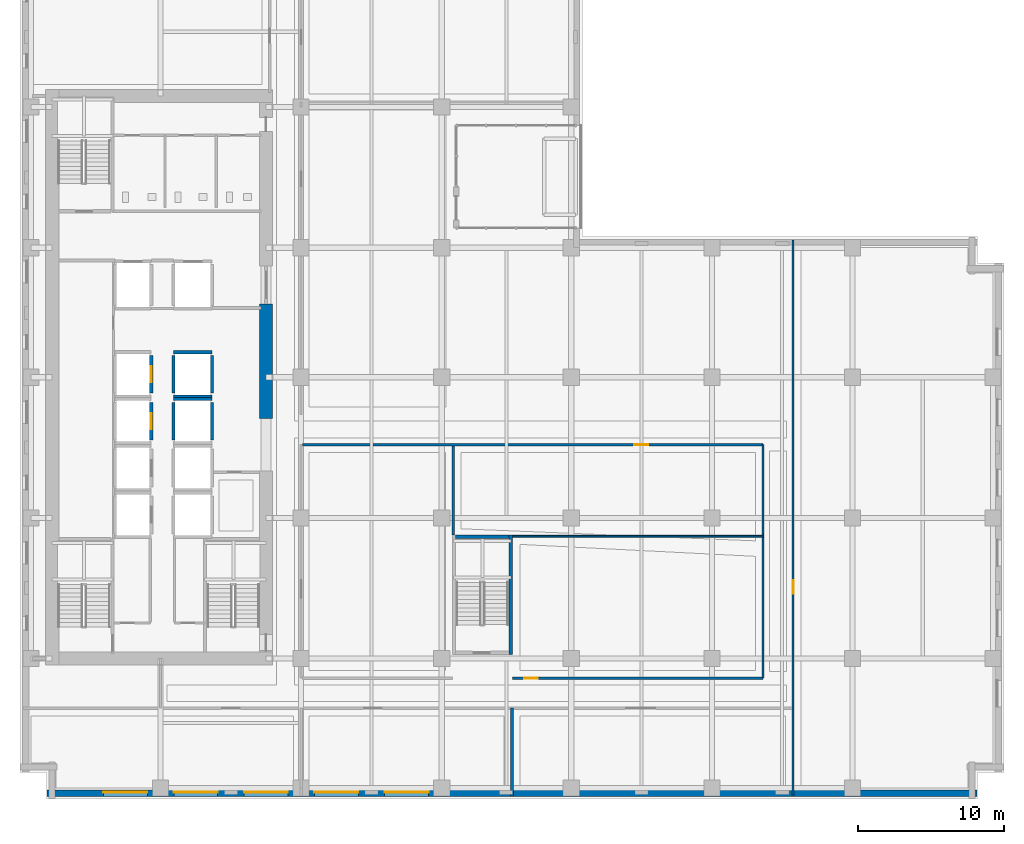
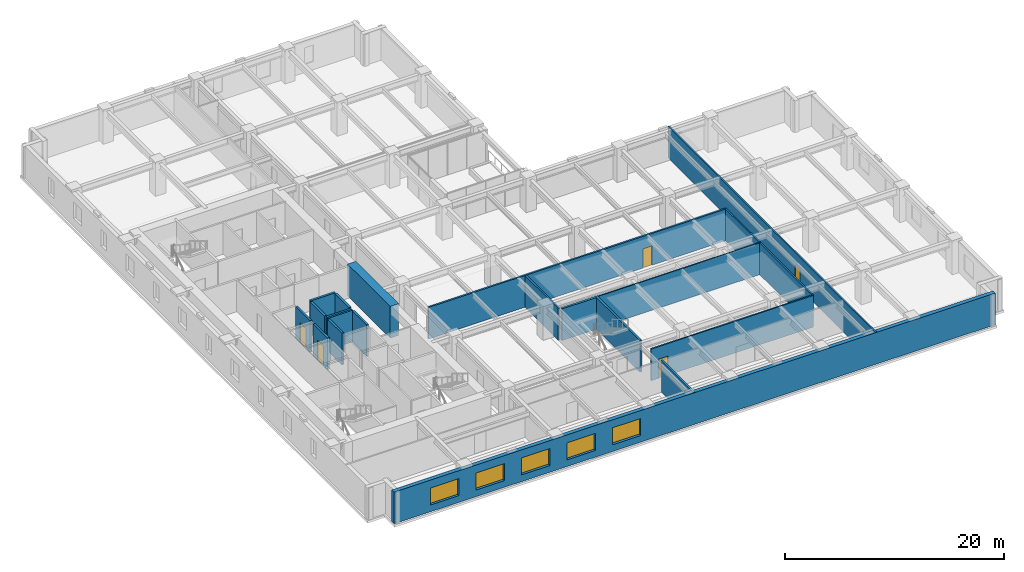
# One storey, part 5 of 16: 20 walls, 5 doors, 5 windows, 10 openings.
"""IFC4 building model written with IfcOpenShell, lengths in metres."""

from ifc_helpers import new_model, si_unit, direction, frame, frame_2d, origin, place, context, subcontext, project, spatial, rectangle, extrude, material, layer, layer_set, type_object, element, fill, save


model = new_model("IFC4")

# Units and contexts
model_context = context("Model", 3, precision=1e-05, world=origin(), true_north=direction((0.0, 1.0)))
body_context = subcontext(model_context, "Body", "Model", "MODEL_VIEW")
ifc_project = project(units=[si_unit("LENGTHUNIT", "METRE"), si_unit("AREAUNIT", "SQUARE_METRE"), si_unit("VOLUMEUNIT", "CUBIC_METRE"), si_unit("PLANEANGLEUNIT", "RADIAN"), si_unit("MASSUNIT", "GRAM", prefix="KILO")], contexts=[model_context])

# Site, building, storey
site_placement = place(None, origin())
site = spatial("IfcSite", under=ifc_project, at=site_placement, CompositionType="ELEMENT")
building_placement = place(site_placement, origin())
building = spatial("IfcBuilding", under=site, at=building_placement, Name="Norrvale University Quadrangle", CompositionType="ELEMENT")
storey_placement = place(building_placement, frame((0.0, 0.0, 58.39990234375)))
storey = spatial("IfcBuildingStorey", under=building, at=storey_placement, Name="L14", CompositionType="ELEMENT", Elevation=58.39990234375)

# Wall, openings, windows
ifc_material_1 = material(Name="Buff Norman Clay Brick Masonry", Category="masonry")
ifc_layer_1 = layer(ifc_material_1, 0.419921875, Name="Buff Norman Clay Brick Masonry")
ifc_layer_set_1 = layer_set([ifc_layer_1], Name="Buff Norman Clay Brick Masonry")
wall_type_1 = type_object("IfcWallType", Name="Wall Buff Brick 420", PredefinedType="SOLIDWALL", material=ifc_layer_set_1)
wall_1_placement = place(storey_placement, frame((1.840087890625, 0.389892578125, 0.0), z_axis=(0.0, 0.0, 1.0), x_axis=(1.0, 0.0, 0.0)))
wall_1 = element("IfcWall", 1, at=wall_1_placement, inside=storey, type_object=wall_type_1, Name="Exterior Brick Facade Wall L14-01.1", PredefinedType="SOLIDWALL", context=body_context, shape_type="SweptSolid", body=[
    extrude(rectangle(XDim=63.52001953125, YDim=0.419921875, at=frame_2d((31.760009765625, 0.0))), origin(), (0.0, 0.0, 1.0), 3.5400390625),
])
opening_1_placement = place(wall_1_placement, frame((3.860107421875, 0.0, 0.75)))
opening_1 = element("IfcOpeningElement", 2, at=opening_1_placement, cuts=wall_1, Name="Opening W08", PredefinedType="OPENING", context=body_context, shape_type="SweptSolid", body=[
    extrude(rectangle(XDim=3.0, YDim=1.89990234375, at=frame_2d((1.5, 0.949951171875))), frame((0.0, 0.221923828125, 0.0), z_axis=(0.0, -1.0, 0.0), x_axis=(1.0, 0.0, 0.0)), (0.0, 0.0, 1.0), 0.44384765625),
])
opening_2_placement = place(wall_1_placement, frame((8.659912109375, 0.0, 0.75)))
opening_2 = element("IfcOpeningElement", 3, at=opening_2_placement, cuts=wall_1, Name="Opening W08", PredefinedType="OPENING", context=body_context, shape_type="SweptSolid", body=[
    extrude(rectangle(XDim=3.0, YDim=1.89990234375, at=frame_2d((1.5, 0.949951171875))), frame((0.0, 0.221923828125, 0.0), z_axis=(0.0, -1.0, 0.0), x_axis=(1.0, 0.0, 0.0)), (0.0, 0.0, 1.0), 0.44384765625),
])
opening_3_placement = place(wall_1_placement, frame((13.4599609375, 0.0, 0.75)))
opening_3 = element("IfcOpeningElement", 4, at=opening_3_placement, cuts=wall_1, Name="Opening W08", PredefinedType="OPENING", context=body_context, shape_type="SweptSolid", body=[
    extrude(rectangle(XDim=3.0, YDim=1.89990234375, at=frame_2d((1.5, 0.949951171875))), frame((0.0, 0.221923828125, 0.0), z_axis=(0.0, -1.0, 0.0), x_axis=(1.0, 0.0, 0.0)), (0.0, 0.0, 1.0), 0.44384765625),
])
opening_4_placement = place(wall_1_placement, frame((18.260009765625, 0.0, 0.75)))
opening_4 = element("IfcOpeningElement", 5, at=opening_4_placement, cuts=wall_1, Name="Opening W08", PredefinedType="OPENING", context=body_context, shape_type="SweptSolid", body=[
    extrude(rectangle(XDim=3.0, YDim=1.89990234375, at=frame_2d((1.5, 0.949951171875))), frame((0.0, 0.221923828125, 0.0), z_axis=(0.0, -1.0, 0.0), x_axis=(1.0, 0.0, 0.0)), (0.0, 0.0, 1.0), 0.44384765625),
])
opening_5_placement = place(wall_1_placement, frame((23.06005859375, 0.0, 0.75)))
opening_5 = element("IfcOpeningElement", 6, at=opening_5_placement, cuts=wall_1, Name="Opening W08", PredefinedType="OPENING", context=body_context, shape_type="SweptSolid", body=[
    extrude(rectangle(XDim=3.0, YDim=1.89990234375, at=frame_2d((1.5, 0.949951171875))), frame((0.0, 0.221923828125, 0.0), z_axis=(0.0, -1.0, 0.0), x_axis=(1.0, 0.0, 0.0)), (0.0, 0.0, 1.0), 0.44384765625),
])
ifc_material_2 = material(Name="Triple Low-E Argon Glazing", Category="glass")
window_type = type_object("IfcWindowType", Name="Window Lounge 3000x2500", PartitioningType="TRIPLE_PANEL_VERTICAL", PredefinedType="WINDOW", material=ifc_material_2)
window_1_placement = place(opening_1_placement, origin())
window_1 = element("IfcWindow", 7, at=window_1_placement, inside=storey, type_object=window_type, Name="Window Lounge 3000x2500 WIN-L14-E01-1-01", OverallHeight=1.89990234375, OverallWidth=3.0, PartitioningType="TRIPLE_PANEL_VERTICAL", PredefinedType="WINDOW", context=body_context, shape_type="SweptSolid", body=[
    extrude(rectangle(XDim=3.0, YDim=1.89990234375, at=frame_2d((1.5, 0.949951171875))), frame((0.0, 0.110107421875, 0.0), z_axis=(0.0, -1.0, 0.0), x_axis=(1.0, 0.0, 0.0)), (0.0, 0.0, 1.0), 0.06005859375),
])
fill(opening_1, window_1)
window_2_placement = place(opening_2_placement, origin())
window_2 = element("IfcWindow", 8, at=window_2_placement, inside=storey, type_object=window_type, Name="Window Lounge 3000x2500 WIN-L14-E01-1-02", OverallHeight=1.89990234375, OverallWidth=3.0, PartitioningType="TRIPLE_PANEL_VERTICAL", PredefinedType="WINDOW", context=body_context, shape_type="SweptSolid", body=[
    extrude(rectangle(XDim=3.0, YDim=1.89990234375, at=frame_2d((1.5, 0.949951171875))), frame((0.0, 0.110107421875, 0.0), z_axis=(0.0, -1.0, 0.0), x_axis=(1.0, 0.0, 0.0)), (0.0, 0.0, 1.0), 0.06005859375),
])
fill(opening_2, window_2)
window_3_placement = place(opening_3_placement, origin())
window_3 = element("IfcWindow", 9, at=window_3_placement, inside=storey, type_object=window_type, Name="Window Lounge 3000x2500 WIN-L14-E01-1-03", OverallHeight=1.89990234375, OverallWidth=3.0, PartitioningType="TRIPLE_PANEL_VERTICAL", PredefinedType="WINDOW", context=body_context, shape_type="SweptSolid", body=[
    extrude(rectangle(XDim=3.0, YDim=1.89990234375, at=frame_2d((1.5, 0.949951171875))), frame((0.0, 0.110107421875, 0.0), z_axis=(0.0, -1.0, 0.0), x_axis=(1.0, 0.0, 0.0)), (0.0, 0.0, 1.0), 0.06005859375),
])
fill(opening_3, window_3)
window_4_placement = place(opening_4_placement, origin())
window_4 = element("IfcWindow", 10, at=window_4_placement, inside=storey, type_object=window_type, Name="Window Lounge 3000x2500 WIN-L14-E01-1-04", OverallHeight=1.89990234375, OverallWidth=3.0, PartitioningType="TRIPLE_PANEL_VERTICAL", PredefinedType="WINDOW", context=body_context, shape_type="SweptSolid", body=[
    extrude(rectangle(XDim=3.0, YDim=1.89990234375, at=frame_2d((1.5, 0.949951171875))), frame((0.0, 0.110107421875, 0.0), z_axis=(0.0, -1.0, 0.0), x_axis=(1.0, 0.0, 0.0)), (0.0, 0.0, 1.0), 0.06005859375),
])
fill(opening_4, window_4)
window_5_placement = place(opening_5_placement, origin())
window_5 = element("IfcWindow", 11, at=window_5_placement, inside=storey, type_object=window_type, Name="Window Lounge 3000x2500 WIN-L14-E01-1-05", OverallHeight=1.89990234375, OverallWidth=3.0, PartitioningType="TRIPLE_PANEL_VERTICAL", PredefinedType="WINDOW", context=body_context, shape_type="SweptSolid", body=[
    extrude(rectangle(XDim=3.0, YDim=1.89990234375, at=frame_2d((1.5, 0.949951171875))), frame((0.0, 0.110107421875, 0.0), z_axis=(0.0, -1.0, 0.0), x_axis=(1.0, 0.0, 0.0)), (0.0, 0.0, 1.0), 0.06005859375),
])
fill(opening_5, window_5)

# Walls
ifc_material_3 = material(Name="Concrete C80/95", Category="concrete")
ifc_layer_2 = layer(ifc_material_3, 0.89990234375, Name="Concrete C80/95")
ifc_layer_set_2 = layer_set([ifc_layer_2], Name="Concrete C80/95")
wall_type_2 = type_object("IfcWallType", Name="Wall Core 900", PredefinedType="SHEAR", material=ifc_layer_set_2)
wall_2_placement = place(storey_placement, frame((16.800048828125, 26.0, 0.0), z_axis=(0.0, 0.0, 1.0), x_axis=(0.0, 1.0, 0.0)))
element("IfcWall", 12, at=wall_2_placement, inside=storey, type_object=wall_type_2, Name="Tower Core Shear Wall L14-E2", PredefinedType="SHEAR", context=body_context, shape_type="SweptSolid", body=[
    extrude(rectangle(XDim=7.800048828125, YDim=0.89990234375, at=frame_2d((3.89990234375, 0.0))), origin(), (0.0, 0.0, 1.0), 3.5400390625),
])
ifc_material_4 = material(Name="Standard Academic Gypsum Partition")
ifc_layer_3 = layer(ifc_material_4, 0.125, Name="Standard Academic Gypsum Partition")
ifc_layer_set_3 = layer_set([ifc_layer_3], Name="Standard Academic Gypsum Partition")
wall_type_3 = type_object("IfcWallType", Name="Wall Gypsum Academic 125", PredefinedType="PARTITIONING", material=ifc_layer_set_3)
wall_3_placement = place(storey_placement, frame((33.6201171875, 17.93994140625, 0.0), z_axis=(0.0, 0.0, 1.0), x_axis=(1.0, 0.0, 0.0)))
element("IfcWall", 13, at=wall_3_placement, inside=storey, type_object=wall_type_3, Name="Interior Partition WL-L14-ISLH", PredefinedType="PARTITIONING", context=body_context, shape_type="SweptSolid", body=[
    extrude(rectangle(XDim=17.1298828125, YDim=0.125, at=frame_2d((8.56494140625, 0.0))), origin(), (0.0, 0.0, 1.0), 3.5400390625),
])

# Wall, opening, door
ifc_material_5 = material(Name="Fire-Rated Gypsum Stud Partition")
ifc_layer_4 = layer(ifc_material_5, 0.14990234375, Name="Fire-Rated Gypsum Stud Partition")
ifc_layer_set_4 = layer_set([ifc_layer_4], Name="Fire-Rated Gypsum Stud Partition")
wall_type_4 = type_object("IfcWallType", Name="Wall Gypsum Corridor 150", PredefinedType="PARTITIONING", material=ifc_layer_set_4)
wall_4_placement = place(storey_placement, frame((52.800048828125, 0.219970703125, 0.0), z_axis=(0.0, 0.0, 1.0), x_axis=(0.0, 1.0, 0.0)))
wall_4 = element("IfcWall", 14, at=wall_4_placement, inside=storey, type_object=wall_type_4, Name="Interior Partition WL-L14-ECW", PredefinedType="PARTITIONING", context=body_context, shape_type="SweptSolid", body=[
    extrude(rectangle(XDim=37.9599609375, YDim=0.14990234375, at=frame_2d((18.97998046875, 0.0))), origin(), (0.0, 0.0, 1.0), 3.5400390625),
])
opening_6_placement = place(wall_4_placement, frame((13.780029296875, 0.0, 0.0)))
opening_6 = element("IfcOpeningElement", 15, at=opening_6_placement, cuts=wall_4, Name="Opening D07", PredefinedType="OPENING", context=body_context, shape_type="SweptSolid", body=[
    extrude(rectangle(XDim=0.949951171875, YDim=2.14990234375, at=frame_2d((0.47509765625, 1.074951171875))), frame((0.0, 0.0869140625, 0.0), z_axis=(0.0, -1.0, 0.0), x_axis=(1.0, 0.0, 0.0)), (0.0, 0.0, 1.0), 0.173828125),
])
ifc_material_6 = material(Name="Solid-Core Maple Door", Category="wood")
door_type_1 = type_object("IfcDoorType", Name="Door Office 950x2150", OperationType="NOTDEFINED", PredefinedType="DOOR", material=ifc_material_6)
door_1_placement = place(opening_6_placement, origin())
door_1 = element("IfcDoor", 16, at=door_1_placement, inside=storey, type_object=door_type_1, Name="Door Office 950x2150 DR-L14-E01", OperationType="SINGLE_SWING_RIGHT", OverallHeight=2.14990234375, OverallWidth=0.949951171875, PredefinedType="DOOR", context=body_context, shape_type="SweptSolid", body=[
    extrude(rectangle(XDim=0.949951171875, YDim=2.14990234375, at=frame_2d((0.47509765625, 1.074951171875))), frame((0.0, 0.02490234375, 0.0), z_axis=(0.0, -1.0, 0.0), x_axis=(1.0, 0.0, 0.0)), (0.0, 0.0, 1.0), 0.050048828125),
])
fill(opening_6, door_1)

wall_5_placement = place(storey_placement, frame((33.6201171875, 8.25, 0.0), z_axis=(0.0, 0.0, 1.0), x_axis=(1.0, 0.0, 0.0)))
wall_5 = element("IfcWall", 17, at=wall_5_placement, inside=storey, type_object=wall_type_4, Name="Interior Partition WL-L14-ISLS2", PredefinedType="PARTITIONING", context=body_context, shape_type="SweptSolid", body=[
    extrude(rectangle(XDim=17.1298828125, YDim=0.14990234375, at=frame_2d((8.56494140625, 0.0))), origin(), (0.0, 0.0, 1.0), 3.5400390625),
])
opening_7_placement = place(wall_5_placement, frame((0.800048828125, 0.0, 0.0)))
opening_7 = element("IfcOpeningElement", 18, at=opening_7_placement, cuts=wall_5, Name="Opening D07", PredefinedType="OPENING", context=body_context, shape_type="SweptSolid", body=[
    extrude(rectangle(XDim=0.949951171875, YDim=2.14990234375, at=frame_2d((0.47509765625, 1.074951171875))), frame((0.0, 0.0869140625, 0.0), z_axis=(0.0, -1.0, 0.0), x_axis=(1.0, 0.0, 0.0)), (0.0, 0.0, 1.0), 0.173828125),
])
door_2_placement = place(opening_7_placement, origin())
door_2 = element("IfcDoor", 19, at=door_2_placement, inside=storey, type_object=door_type_1, Name="Door Office 950x2150 DR-L14-ISE", OperationType="SINGLE_SWING_LEFT", OverallHeight=2.14990234375, OverallWidth=0.949951171875, PredefinedType="DOOR", context=body_context, shape_type="SweptSolid", body=[
    extrude(rectangle(XDim=0.949951171875, YDim=2.14990234375, at=frame_2d((0.47509765625, 1.074951171875))), frame((0.0, 0.02490234375, 0.0), z_axis=(0.0, -1.0, 0.0), x_axis=(1.0, 0.0, 0.0)), (0.0, 0.0, 1.0), 0.050048828125),
])
fill(opening_7, door_2)

# Walls
wall_6_placement = place(storey_placement, frame((50.75, 8.25, 0.0), z_axis=(0.0, 0.0, 1.0), x_axis=(0.0, 1.0, 0.0)))
element("IfcWall", 20, at=wall_6_placement, inside=storey, type_object=wall_type_4, Name="Interior Partition WL-L14-ISLE", PredefinedType="PARTITIONING", context=body_context, shape_type="SweptSolid", body=[
    extrude(rectangle(XDim=15.949951171875, YDim=0.14990234375, at=frame_2d((7.97509765625, 0.0))), origin(), (0.0, 0.0, 1.0), 3.5400390625),
])
ifc_material_7 = material(Name="Acoustic Double-Stud Gypsum Partition")
ifc_layer_5 = layer(ifc_material_7, 0.179931640625, Name="Acoustic Double-Stud Gypsum Partition")
ifc_layer_set_5 = layer_set([ifc_layer_5], Name="Acoustic Double-Stud Gypsum Partition")
wall_type_5 = type_object("IfcWallType", Name="Wall Gypsum Lecture 180", PredefinedType="PARTITIONING", material=ifc_layer_set_5)
wall_7_placement = place(storey_placement, frame((33.60009765625, 0.219970703125, 0.0), z_axis=(0.0, 0.0, 1.0), x_axis=(0.0, 1.0, 0.0)))
element("IfcWall", 21, at=wall_7_placement, inside=storey, type_object=wall_type_5, Name="Interior Partition WL-L14-SP02", PredefinedType="PARTITIONING", context=body_context, shape_type="SweptSolid", body=[
    extrude(rectangle(XDim=5.97998046875, YDim=0.179931640625, at=frame_2d((2.989990234375, 0.0))), origin(), (0.0, 0.0, 1.0), 3.5400390625),
])
wall_8_placement = place(storey_placement, frame((29.580078125, 18.02490234375, 0.0), z_axis=(0.0, 0.0, 1.0), x_axis=(0.0, 1.0, 0.0)))
element("IfcWall", 22, at=wall_8_placement, inside=storey, type_object=wall_type_5, Name="Interior Partition WL-L14-ISLD", PredefinedType="PARTITIONING", context=body_context, shape_type="SweptSolid", body=[
    extrude(rectangle(XDim=6.080078125, YDim=0.179931640625, at=frame_2d((3.0400390625, 0.0))), origin(), (0.0, 0.0, 1.0), 3.5400390625),
])

# Wall, opening, door
wall_9_placement = place(storey_placement, frame((19.280029296875, 24.199951171875, 0.0), z_axis=(0.0, 0.0, 1.0), x_axis=(1.0, 0.0, 0.0)))
wall_9 = element("IfcWall", 23, at=wall_9_placement, inside=storey, type_object=wall_type_5, Name="Interior Partition WL-L14-ISLN", PredefinedType="PARTITIONING", context=body_context, shape_type="SweptSolid", body=[
    extrude(rectangle(XDim=31.469970703125, YDim=0.179931640625, at=frame_2d((15.73486328125, 0.0))), origin(), (0.0, 0.0, 1.0), 3.5400390625),
])
opening_8_placement = place(wall_9_placement, frame((22.669921875, 0.0, 0.0)))
opening_8 = element("IfcOpeningElement", 24, at=opening_8_placement, cuts=wall_9, Name="Opening D07", PredefinedType="OPENING", context=body_context, shape_type="SweptSolid", body=[
    extrude(rectangle(XDim=0.949951171875, YDim=2.14990234375, at=frame_2d((0.47509765625, 1.074951171875))), frame((0.0, 0.10205078125, 0.0), z_axis=(0.0, -1.0, 0.0), x_axis=(1.0, 0.0, 0.0)), (0.0, 0.0, 1.0), 0.203857421875),
])
door_3_placement = place(opening_8_placement, origin())
door_3 = element("IfcDoor", 25, at=door_3_placement, inside=storey, type_object=door_type_1, Name="Door Office 950x2150 DR-L14-ILH", OperationType="SINGLE_SWING_RIGHT", OverallHeight=2.14990234375, OverallWidth=0.949951171875, PredefinedType="DOOR", context=body_context, shape_type="SweptSolid", body=[
    extrude(rectangle(XDim=0.949951171875, YDim=2.14990234375, at=frame_2d((0.47509765625, 1.074951171875))), frame((0.0, 0.02490234375, 0.0), z_axis=(0.0, -1.0, 0.0), x_axis=(1.0, 0.0, 0.0)), (0.0, 0.0, 1.0), 0.050048828125),
])
fill(opening_8, door_3)

# Walls
ifc_material_8 = material(Name="Concrete Blockwork 20 MPa Fire Shaft", Category="masonry")
ifc_layer_6 = layer(ifc_material_8, 0.219970703125, Name="Concrete Blockwork 20 MPa Fire Shaft")
ifc_layer_set_6 = layer_set([ifc_layer_6], Name="Concrete Blockwork 20 MPa Fire Shaft")
wall_type_6 = type_object("IfcWallType", Name="Wall Shaft 220", PredefinedType="SOLIDWALL", material=ifc_layer_set_6)
wall_10_placement = place(storey_placement, frame((33.510009765625, 9.8798828125, 0.0), z_axis=(0.0, 0.0, 1.0), x_axis=(0.0, 1.0, 0.0)))
element("IfcWall", 26, at=wall_10_placement, inside=storey, type_object=wall_type_6, Name="Stair ST-04 East Shaft Wall L14", PredefinedType="SOLIDWALL", context=body_context, shape_type="SweptSolid", body=[
    extrude(rectangle(XDim=8.14013671875, YDim=0.219970703125, at=frame_2d((4.070068359375, 0.0))), origin(), (0.0, 0.0, 1.0), 3.5400390625),
])
wall_11_placement = place(storey_placement, frame((29.75, 17.909912109375, 0.0), z_axis=(0.0, 0.0, 1.0), x_axis=(1.0, 0.0, 0.0)))
element("IfcWall", 27, at=wall_11_placement, inside=storey, type_object=wall_type_6, Name="Stair ST-04 North Shaft Wall L14", PredefinedType="SOLIDWALL", context=body_context, shape_type="SweptSolid", body=[
    extrude(rectangle(XDim=3.64990234375, YDim=0.219970703125, at=frame_2d((1.824951171875, 0.0))), origin(), (0.0, 0.0, 1.0), 3.5400390625),
])

# Wall, opening, door
wall_12_placement = place(storey_placement, frame((8.9599609375, 24.510009765625, 0.0), z_axis=(0.0, 0.0, 1.0), x_axis=(0.0, 1.0, 0.0)))
wall_12 = element("IfcWall", 28, at=wall_12_placement, inside=storey, type_object=wall_type_6, Name="Hoistway PL-03 East Wall L14", PredefinedType="SOLIDWALL", context=body_context, shape_type="SweptSolid", body=[
    extrude(rectangle(XDim=2.580078125, YDim=0.219970703125, at=frame_2d((1.2900390625, 0.0))), origin(), (0.0, 0.0, 1.0), 3.5400390625),
])
opening_9_placement = place(wall_12_placement, frame((0.739990234375, 0.0, 0.0)))
opening_9 = element("IfcOpeningElement", 29, at=opening_9_placement, cuts=wall_12, Name="Opening LD1", PredefinedType="OPENING", context=body_context, shape_type="SweptSolid", body=[
    extrude(rectangle(XDim=1.10009765625, YDim=2.199951171875, at=frame_2d((0.550048828125, 1.10009765625))), frame((0.0, 0.1220703125, 0.0), z_axis=(0.0, -1.0, 0.0), x_axis=(1.0, 0.0, 0.0)), (0.0, 0.0, 1.0), 0.243896484375),
])
ifc_material_9 = material(Name="Stainless Steel 316L Lift Landing Door", Category="steel")
door_type_2 = type_object("IfcDoorType", Name="Door Lift Landing 1100x2200", OperationType="DOUBLE_DOOR_SLIDING", PredefinedType="DOOR", material=ifc_material_9)
door_4_placement = place(opening_9_placement, origin())
door_4 = element("IfcDoor", 30, at=door_4_placement, inside=storey, type_object=door_type_2, Name="Elevator Landing Door DR-L14-PL-03", OperationType="DOUBLE_DOOR_SLIDING", OverallHeight=2.199951171875, OverallWidth=1.10009765625, PredefinedType="DOOR", context=body_context, shape_type="SweptSolid", body=[
    extrude(rectangle(XDim=1.10009765625, YDim=2.199951171875, at=frame_2d((0.550048828125, 1.10009765625))), frame((0.0, 0.02490234375, 0.0), z_axis=(0.0, -1.0, 0.0), x_axis=(1.0, 0.0, 0.0)), (0.0, 0.0, 1.0), 0.050048828125),
])
fill(opening_9, door_4)

wall_13_placement = place(storey_placement, frame((8.9599609375, 27.7099609375, 0.0), z_axis=(0.0, 0.0, 1.0), x_axis=(0.0, 1.0, 0.0)))
wall_13 = element("IfcWall", 31, at=wall_13_placement, inside=storey, type_object=wall_type_6, Name="Hoistway PL-04 East Wall L14", PredefinedType="SOLIDWALL", context=body_context, shape_type="SweptSolid", body=[
    extrude(rectangle(XDim=2.580078125, YDim=0.219970703125, at=frame_2d((1.2900390625, 0.0))), origin(), (0.0, 0.0, 1.0), 3.5400390625),
])
opening_10_placement = place(wall_13_placement, frame((0.739990234375, 0.0, 0.0)))
opening_10 = element("IfcOpeningElement", 32, at=opening_10_placement, cuts=wall_13, Name="Opening LD1", PredefinedType="OPENING", context=body_context, shape_type="SweptSolid", body=[
    extrude(rectangle(XDim=1.10009765625, YDim=2.199951171875, at=frame_2d((0.550048828125, 1.10009765625))), frame((0.0, 0.1220703125, 0.0), z_axis=(0.0, -1.0, 0.0), x_axis=(1.0, 0.0, 0.0)), (0.0, 0.0, 1.0), 0.243896484375),
])
door_5_placement = place(opening_10_placement, origin())
door_5 = element("IfcDoor", 33, at=door_5_placement, inside=storey, type_object=door_type_2, Name="Elevator Landing Door DR-L14-PL-04", OperationType="DOUBLE_DOOR_SLIDING", OverallHeight=2.199951171875, OverallWidth=1.10009765625, PredefinedType="DOOR", context=body_context, shape_type="SweptSolid", body=[
    extrude(rectangle(XDim=1.10009765625, YDim=2.199951171875, at=frame_2d((0.550048828125, 1.10009765625))), frame((0.0, 0.02490234375, 0.0), z_axis=(0.0, -1.0, 0.0), x_axis=(1.0, 0.0, 0.0)), (0.0, 0.0, 1.0), 0.050048828125),
])
fill(opening_10, door_5)

# Walls
for number, where, z_axis, x_axis, name in (
    (34, (10.489990234375, 24.510009765625, 0.0), (0.0, 0.0, 1.0), (0.0, 1.0, 0.0), "Hoistway PL-07 West Wall L14"),
    (35, (13.110107421875, 24.510009765625, 0.0), (0.0, 0.0, 1.0), (0.0, 1.0, 0.0), "Hoistway PL-07 East Wall L14"),
):
    element("IfcWall", number, at=place(storey_placement, frame(where, z_axis=z_axis, x_axis=x_axis)), inside=storey, type_object=wall_type_6, Name=name, PredefinedType="SOLIDWALL", context=body_context, shape_type="SweptSolid", body=[
        extrude(rectangle(XDim=2.580078125, YDim=0.219970703125, at=frame_2d((1.2900390625, 0.0))), origin(), (0.0, 0.0, 1.0), 3.5400390625),
    ])
wall_14_placement = place(storey_placement, frame((10.489990234375, 27.31005859375, 0.0), z_axis=(0.0, 0.0, 1.0), x_axis=(1.0, 0.0, 0.0)))
element("IfcWall", 36, at=wall_14_placement, inside=storey, type_object=wall_type_6, Name="Hoistway PL-07 North Wall L14", PredefinedType="SOLIDWALL", context=body_context, shape_type="SweptSolid", body=[
    extrude(rectangle(XDim=2.6201171875, YDim=0.219970703125, at=frame_2d((1.31005859375, 0.0))), origin(), (0.0, 0.0, 1.0), 3.5400390625),
])
for number, where, z_axis, x_axis, name in (
    (37, (10.489990234375, 27.7099609375, 0.0), (0.0, 0.0, 1.0), (0.0, 1.0, 0.0), "Hoistway PL-08 West Wall L14"),
    (38, (13.110107421875, 27.7099609375, 0.0), (0.0, 0.0, 1.0), (0.0, 1.0, 0.0), "Hoistway PL-08 East Wall L14"),
):
    element("IfcWall", number, at=place(storey_placement, frame(where, z_axis=z_axis, x_axis=x_axis)), inside=storey, type_object=wall_type_6, Name=name, PredefinedType="SOLIDWALL", context=body_context, shape_type="SweptSolid", body=[
        extrude(rectangle(XDim=2.580078125, YDim=0.219970703125, at=frame_2d((1.2900390625, 0.0))), origin(), (0.0, 0.0, 1.0), 3.5400390625),
    ])
for number, where, z_axis, x_axis, name in (
    (39, (10.489990234375, 27.489990234375, 0.0), (0.0, 0.0, 1.0), (1.0, 0.0, 0.0), "Hoistway PL-08 South Wall L14"),
    (40, (10.489990234375, 30.510009765625, 0.0), (0.0, 0.0, 1.0), (1.0, 0.0, 0.0), "Hoistway PL-08 North Wall L14"),
):
    element("IfcWall", number, at=place(storey_placement, frame(where, z_axis=z_axis, x_axis=x_axis)), inside=storey, type_object=wall_type_6, Name=name, PredefinedType="SOLIDWALL", context=body_context, shape_type="SweptSolid", body=[
        extrude(rectangle(XDim=2.6201171875, YDim=0.219970703125, at=frame_2d((1.31005859375, 0.0))), origin(), (0.0, 0.0, 1.0), 3.5400390625),
    ])

save(model, "model.ifc")
